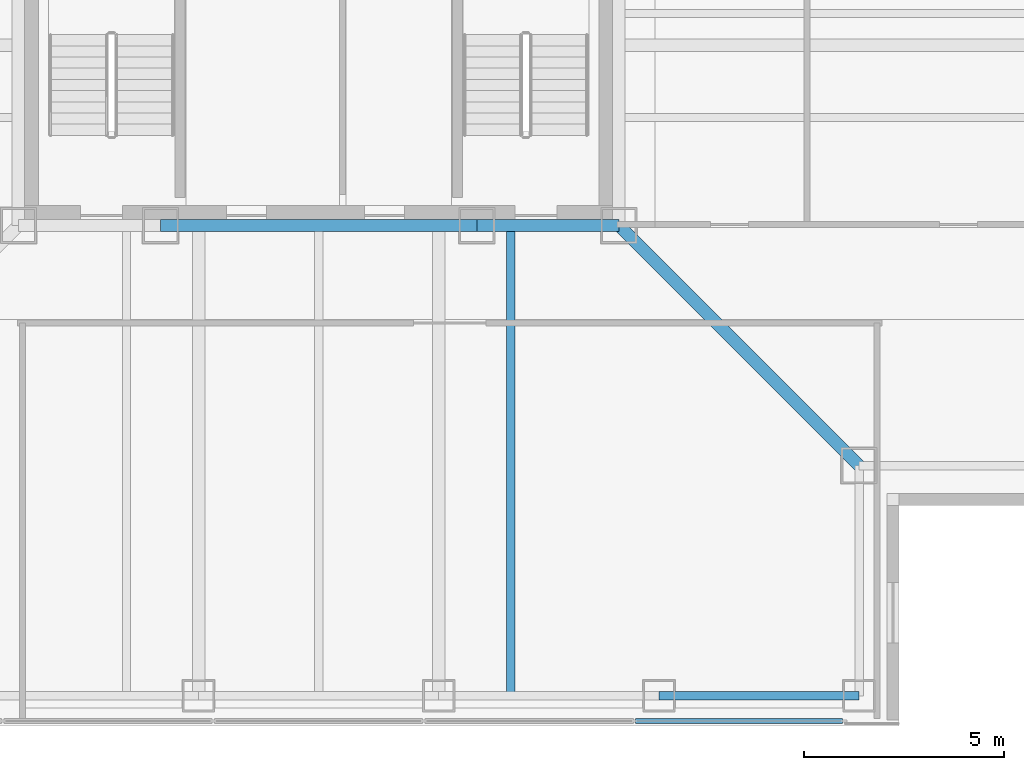
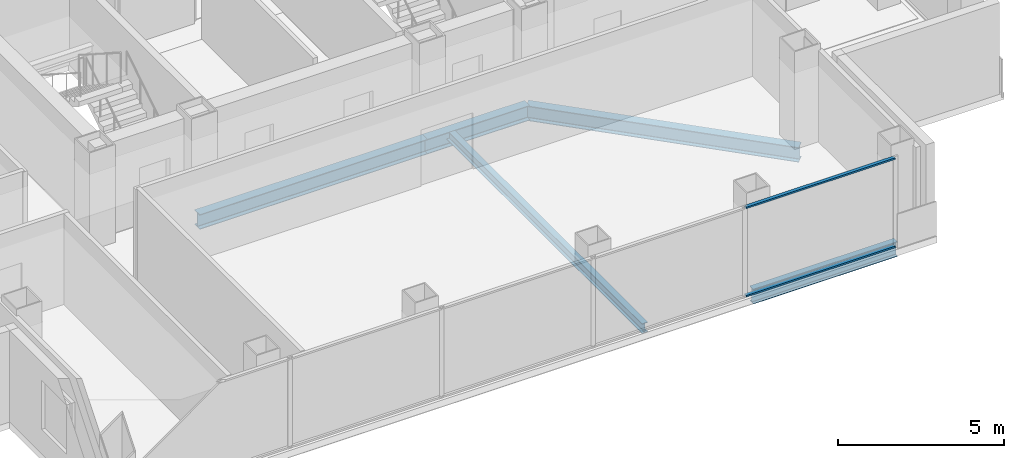
# One storey, part 3 of 17: 5 beams, 2 members, 1 element without a shape of its own.
"""IFC4 building model written with IfcOpenShell, lengths in metres."""

from ifc_helpers import new_model, si_unit, direction, frame, origin, origin_2d, place, context, subcontext, project, spatial, rectangle, i_section, extrude, material, layer, layer_set, material_profile, profile_set, type_object, element, aggregate, save


model = new_model("IFC4")

# Units and contexts
model_context = context("Model", 3, precision=1e-05, world=origin(), true_north=direction((0.0, 1.0)))
body_context = subcontext(model_context, "Body", "Model", "MODEL_VIEW")
ifc_project = project(units=[si_unit("LENGTHUNIT", "METRE"), si_unit("AREAUNIT", "SQUARE_METRE"), si_unit("VOLUMEUNIT", "CUBIC_METRE"), si_unit("PLANEANGLEUNIT", "RADIAN"), si_unit("MASSUNIT", "GRAM", prefix="KILO")], contexts=[model_context])

# Site, building, storey
site_placement = place(None, origin())
site = spatial("IfcSite", under=ifc_project, at=site_placement, CompositionType="ELEMENT")
building_placement = place(site_placement, origin())
building = spatial("IfcBuilding", under=site, at=building_placement, Name="Trevonay Congress Spire", CompositionType="ELEMENT")
storey_placement = place(building_placement, frame((0.0, 0.0, 187.800048828125)))
storey = spatial("IfcBuildingStorey", under=building, at=storey_placement, Name="L48", CompositionType="ELEMENT", Elevation=187.800048828125)

# Beams
ifc_material_1 = material(Name="Steel ASTM A572 Grade 50", Category="steel")
ifc_material_profile_1 = material_profile(ifc_material_1, i_section(OverallWidth=0.31201171875, OverallDepth=0.54296875, WebThickness=0.0126953125, FlangeThickness=0.020263671875, FilletRadius=0.014892578125, at=origin_2d()), Name="W530x150")
ifc_profile_set_1 = profile_set([ifc_material_profile_1], Name="Steel ASTM A572 Grade 50")
beam_type_1 = type_object("IfcBeamType", Name="BM-GIRD-W530X150", PredefinedType="BEAM", material=ifc_profile_set_1)
beam_1_placement = place(storey_placement, frame((-3.949951171875, -7.5, -0.511474609375), z_axis=(1.0, 0.0, 0.0), x_axis=(0.0, 1.0, 0.0)))
element("IfcBeam", 1, at=beam_1_placement, inside=storey, type_object=beam_type_1, Name="L48 structural beam BM-L48-CR-S2", PredefinedType="BEAM", context=body_context, shape_type="SweptSolid", body=[
    extrude(i_section(OverallWidth=0.31201171875, OverallDepth=0.54296875, WebThickness=0.0126953125, FlangeThickness=0.020263671875, FilletRadius=0.014892578125, at=origin_2d()), origin(), (0.0, 0.0, 1.0), 7.89990234375),
])
beam_2_placement = place(storey_placement, frame((3.949951171875, -7.5, -0.511474609375), z_axis=(1.0, 0.0, 0.0), x_axis=(0.0, 1.0, 0.0)))
element("IfcBeam", 2, at=beam_2_placement, inside=storey, type_object=beam_type_1, Name="L48 structural beam BM-L48-CR-S3", PredefinedType="BEAM", context=body_context, shape_type="SweptSolid", body=[
    extrude(i_section(OverallWidth=0.31201171875, OverallDepth=0.54296875, WebThickness=0.0126953125, FlangeThickness=0.020263671875, FilletRadius=0.014892578125, at=origin_2d()), origin(), (0.0, 0.0, 1.0), 3.550048828125),
])
beam_3_placement = place(storey_placement, frame((7.5, -7.5, -0.511474609375), z_axis=(0.707106781187, -0.707106781187, 0.0), x_axis=(0.707106781187, 0.707106781187, 0.0)))
element("IfcBeam", 3, at=beam_3_placement, inside=storey, type_object=beam_type_1, Name="L48 structural beam BM-L48-CDSE", PredefinedType="BEAM", context=body_context, shape_type="SweptSolid", body=[
    extrude(i_section(OverallWidth=0.31201171875, OverallDepth=0.54296875, WebThickness=0.0126953125, FlangeThickness=0.020263671875, FilletRadius=0.014892578125, at=origin_2d()), origin(), (0.0, 0.0, 1.0), 8.4853515625),
])
ifc_material_profile_2 = material_profile(ifc_material_1, i_section(OverallWidth=0.2119140625, OverallDepth=0.5439453125, WebThickness=0.01318359375, FlangeThickness=0.021240234375, FilletRadius=0.014892578125, at=origin_2d()), Name="W530x123")
ifc_profile_set_2 = profile_set([ifc_material_profile_2], Name="Steel ASTM A572 Grade 50")
beam_type_2 = type_object("IfcBeamType", Name="BM-RING-W530X123", PredefinedType="BEAM", material=ifc_profile_set_2)
beam_4_placement = place(storey_placement, frame((8.5, -19.25, -0.511962890625), z_axis=(1.0, 0.0, 0.0), x_axis=(0.0, 1.0, 0.0)))
element("IfcBeam", 4, at=beam_4_placement, inside=storey, type_object=beam_type_2, Name="L48 structural beam BM-L48-PS5", PredefinedType="BEAM", context=body_context, shape_type="SweptSolid", body=[
    extrude(i_section(OverallWidth=0.2119140625, OverallDepth=0.5439453125, WebThickness=0.01318359375, FlangeThickness=0.021240234375, FilletRadius=0.014892578125, at=origin_2d()), origin(), (0.0, 0.0, 1.0), 5.0),
])

# Curtain wall, members
ifc_material_2 = material(Name="Pale Anodised Aluminium EN AW-6063-T6", Category="aluminium")
ifc_layer = layer(ifc_material_2, 0.169921875, Name="Pale Anodised Aluminium EN AW-6063-T6")
ifc_layer_set = layer_set([ifc_layer], Name="Pale Anodised Aluminium EN AW-6063-T6")
curtain_wall_type = type_object("IfcCurtainWallType", Name="CW-SYS04-CORP-PALE-METAL", PredefinedType="NOTDEFINED", material=ifc_layer_set)
curtain_wall_placement = place(storey_placement, origin())
curtain_wall = element("IfcCurtainWall", 5, at=curtain_wall_placement, inside=storey, type_object=curtain_wall_type, Name="L48 S unitised curtain wall", PredefinedType="NOTDEFINED")
ifc_material_profile_3 = material_profile(ifc_material_2, rectangle(XDim=0.1201171875, YDim=0.06005859375, at=origin_2d()), Name="CW-TRANSOM-120-ALUMINIUM")
ifc_profile_set_3 = profile_set([ifc_material_profile_3], Name="Pale Anodised Aluminium EN AW-6063-T6")
member_type = type_object("IfcMemberType", Name="CW-TRANSOM-120-ALUMINIUM", PredefinedType="USERDEFINED", material=ifc_profile_set_3)
member_1_placement = place(storey_placement, frame((7.919921875, -19.8798828125, 0.06005859375), z_axis=(1.0, 0.0, 0.0), x_axis=(0.0, 1.0, 0.0)))
member_1 = element("IfcMember", 6, at=member_1_placement, type_object=member_type, Name="CW04 transom 5.1", ObjectType="TRANSOM", PredefinedType="USERDEFINED", context=body_context, shape_type="SweptSolid", body=[
    extrude(rectangle(XDim=0.1201171875, YDim=0.06005859375, at=origin_2d()), origin(), (0.0, 0.0, 1.0), 5.170166015625),
])
member_2_placement = place(storey_placement, frame((7.919921875, -19.8798828125, 3.300048828125), z_axis=(1.0, 0.0, 0.0), x_axis=(0.0, 1.0, 0.0)))
member_2 = element("IfcMember", 7, at=member_2_placement, type_object=member_type, Name="CW04 transom 5.2", ObjectType="TRANSOM", PredefinedType="USERDEFINED", context=body_context, shape_type="SweptSolid", body=[
    extrude(rectangle(XDim=0.1201171875, YDim=0.06005859375, at=origin_2d()), origin(), (0.0, 0.0, 1.0), 5.170166015625),
])
aggregate(curtain_wall, [member_1, member_2])

# Beam
ifc_material_profile_4 = material_profile(ifc_material_1, i_section(OverallWidth=0.205078125, OverallDepth=0.35400390625, WebThickness=0.009521484375, FlangeThickness=0.016845703125, FilletRadius=0.011962890625, at=origin_2d()), Name="W360x79")
ifc_profile_set_4 = profile_set([ifc_material_profile_4], Name="Steel ASTM A572 Grade 50")
beam_type_3 = type_object("IfcBeamType", Name="JS-COMP-W360X79", PredefinedType="JOIST", material=ifc_profile_set_4)
beam_5_placement = place(storey_placement, frame((4.800048828125, -19.25, -0.4169921875), z_axis=(0.0, 1.0, 0.0), x_axis=(-1.0, 0.0, 0.0)))
element("IfcBeam", 8, at=beam_5_placement, inside=storey, type_object=beam_type_3, Name="L48 structural beam JS-L48-NS-S3", PredefinedType="JOIST", context=body_context, shape_type="SweptSolid", body=[
    extrude(i_section(OverallWidth=0.205078125, OverallDepth=0.35400390625, WebThickness=0.009521484375, FlangeThickness=0.016845703125, FilletRadius=0.011962890625, at=origin_2d()), origin(), (0.0, 0.0, 1.0), 11.75),
])

save(model, "model.ifc")
